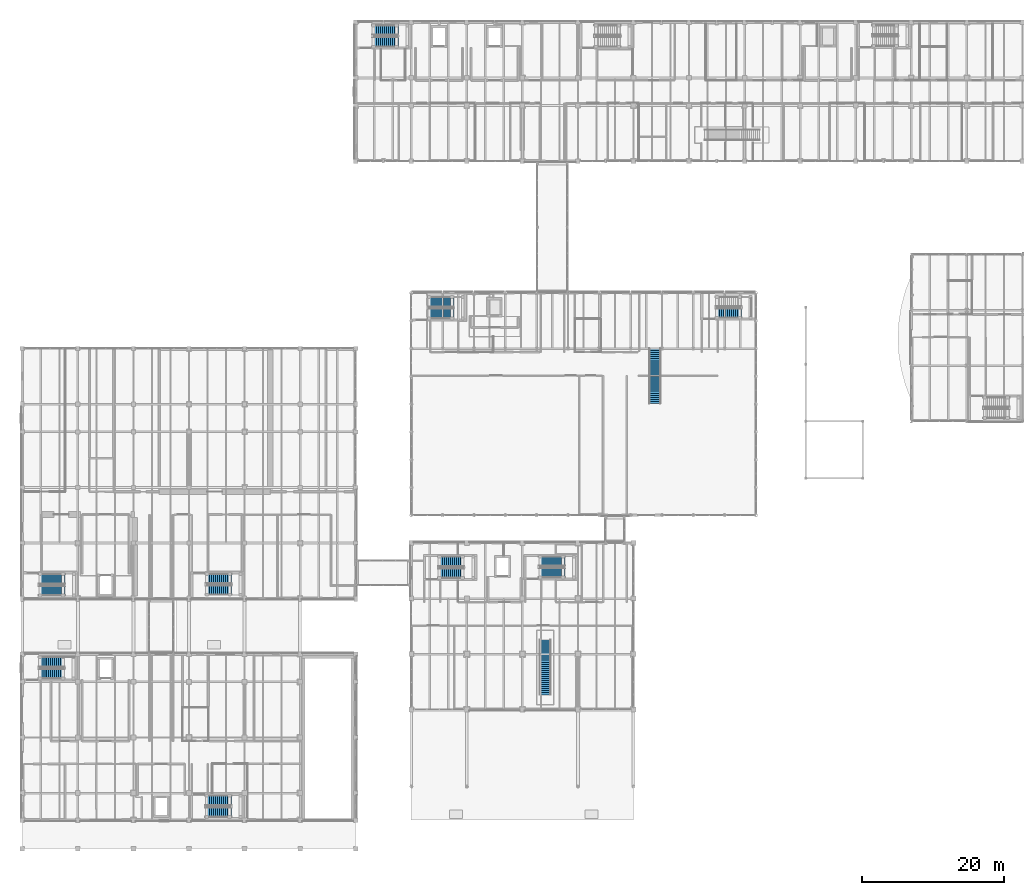
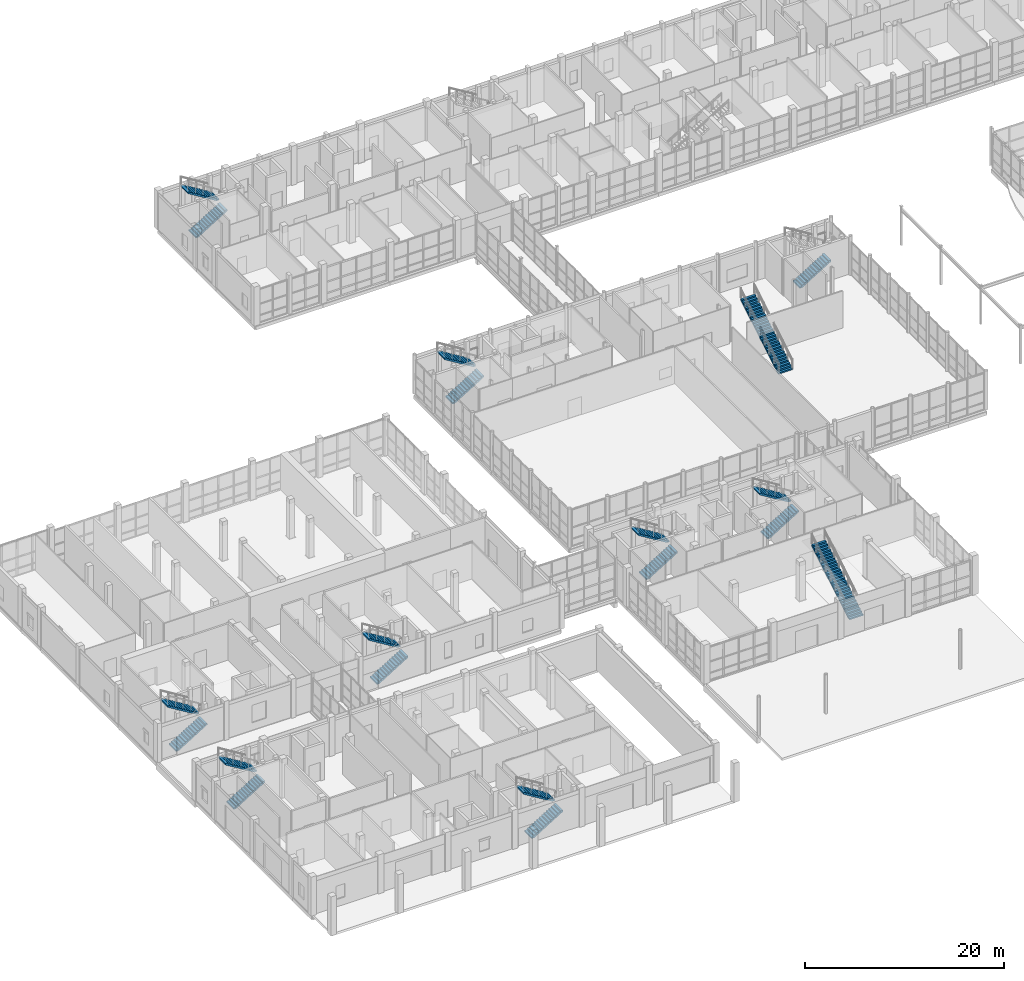
# One storey, part 106 of 131: 19 stair flights, 11 elements without a shape of their own.
"""IFC4 building model written with IfcOpenShell, lengths in metres."""

import ifcopenshell
import ifcopenshell.guid

model = None  # the IFC model being written
_history = None  # IfcOwnerHistory: only IFC2X3 demands one
_inside = {}  # id of a spatial element -> (the spatial element, [elements in it])
_under = {}  # id of a project, library or spatial element -> (it, [spatial elements below it])
_declared = {}  # id of a project -> (the project, [libraries it declares])
_typed = {}  # id of a type object -> (the type object, [elements of that type])
_made_of = {}  # id of a material, layer set ... -> (it, [elements and type objects made of it])


def new_model(schema):
    """Start an empty IFC model of exactly this schema.

    Asked for "IFC4X3", IfcOpenShell would pick the latest addendum, in which some entities
    have other attributes; the version numbers below select the first issue.
    IFC2X3 requires an IfcOwnerHistory on every rooted entity: one is made here for all.
    """
    global model, _history
    if schema == "IFC4X3":
        model = ifcopenshell.file(schema_version=(4, 3, 0, 0))
    else:
        model = ifcopenshell.file(schema=schema)
    _inside.clear()
    _under.clear()
    _declared.clear()
    _typed.clear()
    _made_of.clear()
    _history = None
    if model.schema == "IFC2X3":
        org = make("IfcOrganization", Name="unknown")
        user = make(
            "IfcPersonAndOrganization",
            ThePerson=make("IfcPerson", FamilyName="unknown"),
            TheOrganization=org,
        )
        app = make(
            "IfcApplication",
            ApplicationDeveloper=org,
            Version="unknown",
            ApplicationFullName="unknown",
            ApplicationIdentifier="unknown",
        )
        _history = make(
            "IfcOwnerHistory",
            OwningUser=user,
            OwningApplication=app,
            ChangeAction="ADDED",
            CreationDate=0,
        )
    return model


def make(cls, **values):
    """One entity of the class cls with the attributes given. An attribute that is None is left unset."""
    return model.create_entity(
        cls, **{name: value for name, value in values.items() if value is not None}
    )


def rooted(cls, **values):
    """An entity with a GlobalId (a new one), such as an element, a storey or a relation."""
    return make(cls, GlobalId=ifcopenshell.guid.new(), OwnerHistory=_history, **values)


def si_unit(unit_type, name, prefix=None):
    """IfcSIUnit, for example si_unit("LENGTHUNIT", "METRE", prefix="MILLI")."""
    return make("IfcSIUnit", UnitType=unit_type, Prefix=prefix, Name=name)


def assignment(units):
    """IfcUnitAssignment: the units of a project."""
    return None if units is None else make("IfcUnitAssignment", Units=units)


def point(xyz):
    """IfcCartesianPoint."""
    return None if xyz is None else make("IfcCartesianPoint", Coordinates=xyz)


def direction(xyz):
    """IfcDirection."""
    return None if xyz is None else make("IfcDirection", DirectionRatios=xyz)


def frame(location, z_axis=None, x_axis=None):
    """IfcAxis2Placement3D, a coordinate frame: its origin and axes. An axis left out is left unset."""
    return make(
        "IfcAxis2Placement3D",
        Location=point(location),
        Axis=direction(z_axis),
        RefDirection=direction(x_axis),
    )


def origin():
    """The frame at (0, 0, 0) with its axes left unset."""
    return frame((0.0, 0.0, 0.0))


def place(relative_to, where):
    """IfcLocalPlacement: puts the frame where relative to a parent placement (None: the world)."""
    return make(
        "IfcLocalPlacement", PlacementRelTo=relative_to, RelativePlacement=where
    )


def context(
    kind, dimensions, precision=None, world=None, true_north=None, identifier=None
):
    """IfcGeometricRepresentationContext, for example the 3D "Model" context."""
    return make(
        "IfcGeometricRepresentationContext",
        ContextIdentifier=identifier,
        ContextType=kind,
        CoordinateSpaceDimension=dimensions,
        Precision=precision,
        WorldCoordinateSystem=world,
        TrueNorth=true_north,
    )


def subcontext(parent, identifier, kind, view, scale=None):
    """IfcGeometricRepresentationSubContext, for example "Body" below "Model"."""
    return make(
        "IfcGeometricRepresentationSubContext",
        ContextIdentifier=identifier,
        ContextType=kind,
        ParentContext=parent,
        TargetScale=scale,
        TargetView=view,
    )


def project(units=None, contexts=None):
    """IfcProject with its units and contexts."""
    return rooted(
        "IfcProject",
        Name="project",
        RepresentationContexts=contexts,
        UnitsInContext=assignment(units),
    )


def spatial(cls, under=None, at=None, **own):
    """A site, building, storey or space (cls), placed at a placement, below another one or the project."""
    s = rooted(cls, ObjectPlacement=at, **own)
    if under is not None:
        _under.setdefault(under.id(), (under, []))[1].append(s)
    return s


def polyline(points):
    """IfcPolyline through the points."""
    return make("IfcPolyline", Points=[point(p) for p in points])


def outline(outer, holes=None, kind="AREA"):
    """IfcArbitraryClosedProfileDef: a profile drawn as a closed curve; with holes, ...WithVoids."""
    if holes is None:
        return make("IfcArbitraryClosedProfileDef", ProfileType=kind, OuterCurve=outer)
    return make(
        "IfcArbitraryProfileDefWithVoids",
        ProfileType=kind,
        OuterCurve=outer,
        InnerCurves=holes,
    )


def extrude(swept, where, along, depth):
    """IfcExtrudedAreaSolid: the profile swept, set in the frame where, extruded along a direction by depth."""
    return make(
        "IfcExtrudedAreaSolid",
        SweptArea=swept,
        Position=where,
        ExtrudedDirection=direction(along),
        Depth=depth,
    )


def shape(context_of_items, identifier, shape_type, items):
    """IfcShapeRepresentation: the items that make up one representation, for example the "Body"."""
    return make(
        "IfcShapeRepresentation",
        ContextOfItems=context_of_items,
        RepresentationIdentifier=identifier,
        RepresentationType=shape_type,
        Items=items,
    )


def material(Name=None, Category=None):
    """IfcMaterial."""
    return make("IfcMaterial", Name=Name, Category=Category)


def made_of(thing, what):
    """Note that an element or type object is made of a material, layer set ...; save() writes the relation."""
    if what is not None:
        _made_of.setdefault(what.id(), (what, []))[1].append(thing)
    return thing


def type_object(cls, material=None, **own):
    """A type object (cls), such as IfcWallType, which elements share."""
    return made_of(rooted(cls, **own), material)


def element(
    cls,
    number,
    at=None,
    inside=None,
    cuts=None,
    type_object=None,
    material=None,
    context=None,
    identifier="Body",
    shape_type=None,
    held_by="IfcProductDefinitionShape",
    body=None,
    shapes=None,
    **own,
):
    """One element of the class cls, such as IfcWall. Its Tag is "e" and its number.

    at: its placement. inside: the storey or other place that contains it. cuts: it is an
    opening in that element (IfcRelVoidsElement). A single representation is given by context,
    identifier, shape_type and body (its items); several are given by shapes. held_by: the class
    of the entity that holds the representations. save() writes the other relations.
    """
    e = rooted(cls, Tag="e%d" % number, ObjectPlacement=at, **own)
    if body is not None:
        shapes = [shape(context, identifier, shape_type, body)]
    if shapes is not None:
        e.Representation = make(held_by, Representations=shapes)
    if inside is not None:
        _inside.setdefault(inside.id(), (inside, []))[1].append(e)
    if cuts is not None:
        rooted(
            "IfcRelVoidsElement", RelatingBuildingElement=cuts, RelatedOpeningElement=e
        )
    if type_object is not None:
        _typed.setdefault(type_object.id(), (type_object, []))[1].append(e)
    return made_of(e, material)


def aggregate(whole, parts):
    """IfcRelAggregates: a whole, such as a stair, and the parts it consists of."""
    return rooted("IfcRelAggregates", RelatingObject=whole, RelatedObjects=parts)


def save(model, path):
    """Write the relations noted so far, then the file.

    IfcRelAggregates (storeys below a building ...), IfcRelContainedInSpatialStructure (elements
    in a storey), IfcRelDefinesByType, IfcRelAssociatesMaterial and IfcRelDeclares: one each for
    every whole, place, type object, material and project.
    """
    for whole, parts in _under.values():
        aggregate(whole, parts)
    for where, things in _inside.values():
        rooted(
            "IfcRelContainedInSpatialStructure",
            RelatedElements=things,
            RelatingStructure=where,
        )
    for kind, things in _typed.values():
        rooted("IfcRelDefinesByType", RelatedObjects=things, RelatingType=kind)
    for what, things in _made_of.values():
        rooted("IfcRelAssociatesMaterial", RelatedObjects=things, RelatingMaterial=what)
    for by, libraries in _declared.values():
        rooted("IfcRelDeclares", RelatingContext=by, RelatedDefinitions=libraries)
    model.write(path)


model = new_model("IFC4")

# Units and contexts
model_context = context("Model", 3, precision=1e-05, world=origin(), true_north=direction((0.0, 1.0)))
body_context = subcontext(model_context, "Body", "Model", "MODEL_VIEW")
ifc_project = project(units=[si_unit("LENGTHUNIT", "METRE"), si_unit("AREAUNIT", "SQUARE_METRE"), si_unit("VOLUMEUNIT", "CUBIC_METRE"), si_unit("PLANEANGLEUNIT", "RADIAN"), si_unit("MASSUNIT", "GRAM", prefix="KILO")], contexts=[model_context])

# Site, building, storey
site_placement = place(None, origin())
site = spatial("IfcSite", under=ifc_project, at=site_placement, CompositionType="ELEMENT")
building_placement = place(site_placement, origin())
building = spatial("IfcBuilding", under=site, at=building_placement, Name="Celorna Specialist Clinic", CompositionType="ELEMENT")
storey_placement = place(building_placement, origin())
storey = spatial("IfcBuildingStorey", under=building, at=storey_placement, Name="L00", CompositionType="ELEMENT", Elevation=0.0)

# Stair, stair flights
ifc_material = material(Name="Concrete C35/45", Category="concrete")
stair_type_1 = type_object("IfcStairType", Name="ST-02", PredefinedType="HALF_TURN_STAIR", material=ifc_material)
stair_1_placement = place(storey_placement, origin())
stair_1 = element("IfcStair", 1, at=stair_1_placement, inside=storey, type_object=stair_type_1, Name="L00 Protected exit stair ST-01", PredefinedType="HALF_TURN_STAIR")
stair_flight_type_1 = type_object("IfcStairFlightType", Name="SFL-02", PredefinedType="STRAIGHT", material=ifc_material)
stair_flight_1_placement = place(storey_placement, frame((49.139892578125, 113.2451171875, 0.0), z_axis=(0.0, 0.0, 1.0), x_axis=(1.0, 0.0, 0.0)))
stair_flight_1 = element("IfcStairFlight", 2, at=stair_flight_1_placement, type_object=stair_flight_type_1, Name="ST-01 flight 1", NumberOfRisers=14, NumberOfTreads=13, PredefinedType="STRAIGHT", RiserHeight=0.171428571, TreadLength=0.28, context=body_context, shape_type="SweptSolid", body=[
    extrude(outline(polyline([(0.0, 0.0), (0.0, 0.17138671875), (0.280029296875, 0.17138671875), (0.280029296875, 0.3427734375), (0.56005859375, 0.3427734375), (0.56005859375, 0.514404296875), (0.840087890625, 0.514404296875), (0.840087890625, 0.685791015625), (1.1201171875, 0.685791015625), (1.1201171875, 0.857177734375), (1.39990234375, 0.857177734375), (1.39990234375, 1.028564453125), (1.679931640625, 1.028564453125), (1.679931640625, 1.199951171875), (1.9599609375, 1.199951171875), (1.9599609375, 1.371337890625), (2.239990234375, 1.371337890625), (2.239990234375, 1.54296875), (2.52001953125, 1.54296875), (2.52001953125, 1.71435546875), (2.800048828125, 1.71435546875), (2.800048828125, 1.8857421875), (3.080078125, 1.8857421875), (3.080078125, 2.05712890625), (3.360107421875, 2.05712890625), (3.360107421875, 2.228515625), (3.639892578125, 2.228515625), (3.639892578125, 2.39990234375), (3.639892578125, 2.052734375), (0.287109375, 0.0), (0.0, 0.0)])), frame((0.0, 0.72509765625, 0.0), z_axis=(0.0, -1.0, 0.0), x_axis=(1.0, 0.0, 0.0)), (0.0, 0.0, 1.0), 1.449951171875),
])
stair_flight_2_placement = place(storey_placement, frame((52.780029296875, 114.89501953125, 2.39990234375), z_axis=(0.0, 0.0, 1.0), x_axis=(-1.0, 0.0, 0.0)))
stair_flight_2 = element("IfcStairFlight", 3, at=stair_flight_2_placement, type_object=stair_flight_type_1, Name="ST-01 flight 2", NumberOfRisers=14, NumberOfTreads=13, PredefinedType="STRAIGHT", RiserHeight=0.171428571, TreadLength=0.28, context=body_context, shape_type="SweptSolid", body=[
    extrude(outline(polyline([(0.0, 0.0), (0.0, 0.17138671875), (0.280029296875, 0.17138671875), (0.280029296875, 0.3427734375), (0.56005859375, 0.3427734375), (0.56005859375, 0.514404296875), (0.840087890625, 0.514404296875), (0.840087890625, 0.685791015625), (1.1201171875, 0.685791015625), (1.1201171875, 0.857177734375), (1.39990234375, 0.857177734375), (1.39990234375, 1.028564453125), (1.679931640625, 1.028564453125), (1.679931640625, 1.199951171875), (1.9599609375, 1.199951171875), (1.9599609375, 1.371337890625), (2.239990234375, 1.371337890625), (2.239990234375, 1.54296875), (2.52001953125, 1.54296875), (2.52001953125, 1.71435546875), (2.800048828125, 1.71435546875), (2.800048828125, 1.8857421875), (3.080078125, 1.8857421875), (3.080078125, 2.05712890625), (3.360107421875, 2.05712890625), (3.360107421875, 2.228515625), (3.639892578125, 2.228515625), (3.639892578125, 2.39990234375), (3.639892578125, 2.052734375), (0.287109375, 0.0), (0.0, 0.0)])), frame((0.0, 0.72509765625, 0.0), z_axis=(0.0, -1.0, 0.0), x_axis=(1.0, 0.0, 0.0)), (0.0, 0.0, 1.0), 1.449951171875),
])
aggregate(stair_1, [stair_flight_1, stair_flight_2])

stair_2_placement = place(storey_placement, origin())
stair_2 = element("IfcStair", 4, at=stair_2_placement, inside=storey, type_object=stair_type_1, Name="L00 Protected exit stair ST-04", PredefinedType="HALF_TURN_STAIR")
stair_flight_3_placement = place(storey_placement, frame((2.31005859375, 24.544921875, 0.0), z_axis=(0.0, 0.0, 1.0), x_axis=(1.0, 0.0, 0.0)))
stair_flight_3 = element("IfcStairFlight", 5, at=stair_flight_3_placement, type_object=stair_flight_type_1, Name="ST-04 flight 1", NumberOfRisers=14, NumberOfTreads=13, PredefinedType="STRAIGHT", RiserHeight=0.171428571, TreadLength=0.28, context=body_context, shape_type="SweptSolid", body=[
    extrude(outline(polyline([(0.0, 0.0), (0.0, 0.17138671875), (0.280029296875, 0.17138671875), (0.280029296875, 0.3427734375), (0.56005859375, 0.3427734375), (0.56005859375, 0.514404296875), (0.840087890625, 0.514404296875), (0.840087890625, 0.685791015625), (1.1201171875, 0.685791015625), (1.1201171875, 0.857177734375), (1.39990234375, 0.857177734375), (1.39990234375, 1.028564453125), (1.679931640625, 1.028564453125), (1.679931640625, 1.199951171875), (1.9599609375, 1.199951171875), (1.9599609375, 1.371337890625), (2.239990234375, 1.371337890625), (2.239990234375, 1.54296875), (2.52001953125, 1.54296875), (2.52001953125, 1.71435546875), (2.800048828125, 1.71435546875), (2.800048828125, 1.8857421875), (3.080078125, 1.8857421875), (3.080078125, 2.05712890625), (3.360107421875, 2.05712890625), (3.360107421875, 2.228515625), (3.639892578125, 2.228515625), (3.639892578125, 2.39990234375), (3.639892578125, 2.052734375), (0.287109375, 0.0), (0.0, 0.0)])), frame((0.0, 0.72509765625, 0.0), z_axis=(0.0, -1.0, 0.0), x_axis=(1.0, 0.0, 0.0)), (0.0, 0.0, 1.0), 1.449951171875),
])
stair_flight_4_placement = place(storey_placement, frame((5.949951171875, 26.195068359375, 2.39990234375), z_axis=(0.0, 0.0, 1.0), x_axis=(-1.0, 0.0, 0.0)))
stair_flight_4 = element("IfcStairFlight", 6, at=stair_flight_4_placement, type_object=stair_flight_type_1, Name="ST-04 flight 2", NumberOfRisers=14, NumberOfTreads=13, PredefinedType="STRAIGHT", RiserHeight=0.171428571, TreadLength=0.28, context=body_context, shape_type="SweptSolid", body=[
    extrude(outline(polyline([(0.0, 0.0), (0.0, 0.17138671875), (0.280029296875, 0.17138671875), (0.280029296875, 0.3427734375), (0.56005859375, 0.3427734375), (0.56005859375, 0.514404296875), (0.840087890625, 0.514404296875), (0.840087890625, 0.685791015625), (1.1201171875, 0.685791015625), (1.1201171875, 0.857177734375), (1.39990234375, 0.857177734375), (1.39990234375, 1.028564453125), (1.679931640625, 1.028564453125), (1.679931640625, 1.199951171875), (1.9599609375, 1.199951171875), (1.9599609375, 1.371337890625), (2.239990234375, 1.371337890625), (2.239990234375, 1.54296875), (2.52001953125, 1.54296875), (2.52001953125, 1.71435546875), (2.800048828125, 1.71435546875), (2.800048828125, 1.8857421875), (3.080078125, 1.8857421875), (3.080078125, 2.05712890625), (3.360107421875, 2.05712890625), (3.360107421875, 2.228515625), (3.639892578125, 2.228515625), (3.639892578125, 2.39990234375), (3.639892578125, 2.052734375), (0.287109375, 0.0), (0.0, 0.0)])), frame((0.0, 0.72509765625, 0.0), z_axis=(0.0, -1.0, 0.0), x_axis=(1.0, 0.0, 0.0)), (0.0, 0.0, 1.0), 1.449951171875),
])
aggregate(stair_2, [stair_flight_3, stair_flight_4])

stair_3_placement = place(storey_placement, origin())
stair_3 = element("IfcStair", 7, at=stair_3_placement, inside=storey, type_object=stair_type_1, Name="L00 Protected exit stair ST-05", PredefinedType="HALF_TURN_STAIR")
stair_flight_5_placement = place(storey_placement, frame((25.7099609375, 5.10498046875, 0.0), z_axis=(0.0, 0.0, 1.0), x_axis=(1.0, 0.0, 0.0)))
stair_flight_5 = element("IfcStairFlight", 8, at=stair_flight_5_placement, type_object=stair_flight_type_1, Name="ST-05 flight 1", NumberOfRisers=14, NumberOfTreads=13, PredefinedType="STRAIGHT", RiserHeight=0.171428571, TreadLength=0.28, context=body_context, shape_type="SweptSolid", body=[
    extrude(outline(polyline([(0.0, 0.0), (0.0, 0.17138671875), (0.280029296875, 0.17138671875), (0.280029296875, 0.3427734375), (0.56005859375, 0.3427734375), (0.56005859375, 0.514404296875), (0.840087890625, 0.514404296875), (0.840087890625, 0.685791015625), (1.1201171875, 0.685791015625), (1.1201171875, 0.857177734375), (1.39990234375, 0.857177734375), (1.39990234375, 1.028564453125), (1.679931640625, 1.028564453125), (1.679931640625, 1.199951171875), (1.9599609375, 1.199951171875), (1.9599609375, 1.371337890625), (2.239990234375, 1.371337890625), (2.239990234375, 1.54296875), (2.52001953125, 1.54296875), (2.52001953125, 1.71435546875), (2.800048828125, 1.71435546875), (2.800048828125, 1.8857421875), (3.080078125, 1.8857421875), (3.080078125, 2.05712890625), (3.360107421875, 2.05712890625), (3.360107421875, 2.228515625), (3.639892578125, 2.228515625), (3.639892578125, 2.39990234375), (3.639892578125, 2.052734375), (0.287109375, 0.0), (0.0, 0.0)])), frame((0.0, 0.72509765625, 0.0), z_axis=(0.0, -1.0, 0.0), x_axis=(1.0, 0.0, 0.0)), (0.0, 0.0, 1.0), 1.449951171875),
])
stair_flight_6_placement = place(storey_placement, frame((29.35009765625, 6.7548828125, 2.39990234375), z_axis=(0.0, 0.0, 1.0), x_axis=(-1.0, 0.0, 0.0)))
stair_flight_6 = element("IfcStairFlight", 9, at=stair_flight_6_placement, type_object=stair_flight_type_1, Name="ST-05 flight 2", NumberOfRisers=14, NumberOfTreads=13, PredefinedType="STRAIGHT", RiserHeight=0.171428571, TreadLength=0.28, context=body_context, shape_type="SweptSolid", body=[
    extrude(outline(polyline([(0.0, 0.0), (0.0, 0.17138671875), (0.280029296875, 0.17138671875), (0.280029296875, 0.3427734375), (0.56005859375, 0.3427734375), (0.56005859375, 0.514404296875), (0.840087890625, 0.514404296875), (0.840087890625, 0.685791015625), (1.1201171875, 0.685791015625), (1.1201171875, 0.857177734375), (1.39990234375, 0.857177734375), (1.39990234375, 1.028564453125), (1.679931640625, 1.028564453125), (1.679931640625, 1.199951171875), (1.9599609375, 1.199951171875), (1.9599609375, 1.371337890625), (2.239990234375, 1.371337890625), (2.239990234375, 1.54296875), (2.52001953125, 1.54296875), (2.52001953125, 1.71435546875), (2.800048828125, 1.71435546875), (2.800048828125, 1.8857421875), (3.080078125, 1.8857421875), (3.080078125, 2.05712890625), (3.360107421875, 2.05712890625), (3.360107421875, 2.228515625), (3.639892578125, 2.228515625), (3.639892578125, 2.39990234375), (3.639892578125, 2.052734375), (0.287109375, 0.0), (0.0, 0.0)])), frame((0.0, 0.72509765625, 0.0), z_axis=(0.0, -1.0, 0.0), x_axis=(1.0, 0.0, 0.0)), (0.0, 0.0, 1.0), 1.449951171875),
])
aggregate(stair_3, [stair_flight_5, stair_flight_6])

stair_4_placement = place(storey_placement, origin())
stair_4 = element("IfcStair", 10, at=stair_4_placement, inside=storey, type_object=stair_type_1, Name="L00 Protected exit stair ST-06", PredefinedType="HALF_TURN_STAIR")
stair_flight_7_placement = place(storey_placement, frame((2.340087890625, 36.205078125, 0.0), z_axis=(0.0, 0.0, 1.0), x_axis=(1.0, 0.0, 0.0)))
stair_flight_7 = element("IfcStairFlight", 11, at=stair_flight_7_placement, type_object=stair_flight_type_1, Name="ST-06 flight 1", NumberOfRisers=14, NumberOfTreads=13, PredefinedType="STRAIGHT", RiserHeight=0.171428571, TreadLength=0.28, context=body_context, shape_type="SweptSolid", body=[
    extrude(outline(polyline([(0.0, 0.0), (0.0, 0.17138671875), (0.280029296875, 0.17138671875), (0.280029296875, 0.3427734375), (0.56005859375, 0.3427734375), (0.56005859375, 0.514404296875), (0.840087890625, 0.514404296875), (0.840087890625, 0.685791015625), (1.1201171875, 0.685791015625), (1.1201171875, 0.857177734375), (1.39990234375, 0.857177734375), (1.39990234375, 1.028564453125), (1.679931640625, 1.028564453125), (1.679931640625, 1.199951171875), (1.9599609375, 1.199951171875), (1.9599609375, 1.371337890625), (2.239990234375, 1.371337890625), (2.239990234375, 1.54296875), (2.52001953125, 1.54296875), (2.52001953125, 1.71435546875), (2.800048828125, 1.71435546875), (2.800048828125, 1.8857421875), (3.080078125, 1.8857421875), (3.080078125, 2.05712890625), (3.360107421875, 2.05712890625), (3.360107421875, 2.228515625), (3.639892578125, 2.228515625), (3.639892578125, 2.39990234375), (3.639892578125, 2.052734375), (0.287109375, 0.0), (0.0, 0.0)])), frame((0.0, 0.72509765625, 0.0), z_axis=(0.0, -1.0, 0.0), x_axis=(1.0, 0.0, 0.0)), (0.0, 0.0, 1.0), 1.449951171875),
])
stair_flight_8_placement = place(storey_placement, frame((5.97998046875, 37.85498046875, 2.39990234375), z_axis=(0.0, 0.0, 1.0), x_axis=(-1.0, 0.0, 0.0)))
stair_flight_8 = element("IfcStairFlight", 12, at=stair_flight_8_placement, type_object=stair_flight_type_1, Name="ST-06 flight 2", NumberOfRisers=14, NumberOfTreads=13, PredefinedType="STRAIGHT", RiserHeight=0.171428571, TreadLength=0.28, context=body_context, shape_type="SweptSolid", body=[
    extrude(outline(polyline([(0.0, 0.0), (0.0, 0.17138671875), (0.280029296875, 0.17138671875), (0.280029296875, 0.3427734375), (0.56005859375, 0.3427734375), (0.56005859375, 0.514404296875), (0.840087890625, 0.514404296875), (0.840087890625, 0.685791015625), (1.1201171875, 0.685791015625), (1.1201171875, 0.857177734375), (1.39990234375, 0.857177734375), (1.39990234375, 1.028564453125), (1.679931640625, 1.028564453125), (1.679931640625, 1.199951171875), (1.9599609375, 1.199951171875), (1.9599609375, 1.371337890625), (2.239990234375, 1.371337890625), (2.239990234375, 1.54296875), (2.52001953125, 1.54296875), (2.52001953125, 1.71435546875), (2.800048828125, 1.71435546875), (2.800048828125, 1.8857421875), (3.080078125, 1.8857421875), (3.080078125, 2.05712890625), (3.360107421875, 2.05712890625), (3.360107421875, 2.228515625), (3.639892578125, 2.228515625), (3.639892578125, 2.39990234375), (3.639892578125, 2.052734375), (0.287109375, 0.0), (0.0, 0.0)])), frame((0.0, 0.72509765625, 0.0), z_axis=(0.0, -1.0, 0.0), x_axis=(1.0, 0.0, 0.0)), (0.0, 0.0, 1.0), 1.449951171875),
])
aggregate(stair_4, [stair_flight_7, stair_flight_8])

stair_5_placement = place(storey_placement, origin())
stair_5 = element("IfcStair", 13, at=stair_5_placement, inside=storey, type_object=stair_type_1, Name="L00 Protected exit stair ST-08", PredefinedType="HALF_TURN_STAIR")
stair_flight_9_placement = place(storey_placement, frame((58.39990234375, 38.64501953125, 0.0), z_axis=(0.0, 0.0, 1.0), x_axis=(1.0, 0.0, 0.0)))
stair_flight_9 = element("IfcStairFlight", 14, at=stair_flight_9_placement, type_object=stair_flight_type_1, Name="ST-08 flight 1", NumberOfRisers=14, NumberOfTreads=13, PredefinedType="STRAIGHT", RiserHeight=0.171428571, TreadLength=0.28, context=body_context, shape_type="SweptSolid", body=[
    extrude(outline(polyline([(0.0, 0.0), (0.0, 0.17138671875), (0.280029296875, 0.17138671875), (0.280029296875, 0.3427734375), (0.56005859375, 0.3427734375), (0.56005859375, 0.514404296875), (0.840087890625, 0.514404296875), (0.840087890625, 0.685791015625), (1.1201171875, 0.685791015625), (1.1201171875, 0.857177734375), (1.39990234375, 0.857177734375), (1.39990234375, 1.028564453125), (1.679931640625, 1.028564453125), (1.679931640625, 1.199951171875), (1.9599609375, 1.199951171875), (1.9599609375, 1.371337890625), (2.239990234375, 1.371337890625), (2.239990234375, 1.54296875), (2.52001953125, 1.54296875), (2.52001953125, 1.71435546875), (2.800048828125, 1.71435546875), (2.800048828125, 1.8857421875), (3.080078125, 1.8857421875), (3.080078125, 2.05712890625), (3.360107421875, 2.05712890625), (3.360107421875, 2.228515625), (3.639892578125, 2.228515625), (3.639892578125, 2.39990234375), (3.639892578125, 2.052734375), (0.287109375, 0.0), (0.0, 0.0)])), frame((0.0, 0.72509765625, 0.0), z_axis=(0.0, -1.0, 0.0), x_axis=(1.0, 0.0, 0.0)), (0.0, 0.0, 1.0), 1.449951171875),
])
stair_flight_10_placement = place(storey_placement, frame((62.0400390625, 40.294921875, 2.39990234375), z_axis=(0.0, 0.0, 1.0), x_axis=(-1.0, 0.0, 0.0)))
stair_flight_10 = element("IfcStairFlight", 15, at=stair_flight_10_placement, type_object=stair_flight_type_1, Name="ST-08 flight 2", NumberOfRisers=14, NumberOfTreads=13, PredefinedType="STRAIGHT", RiserHeight=0.171428571, TreadLength=0.28, context=body_context, shape_type="SweptSolid", body=[
    extrude(outline(polyline([(0.0, 0.0), (0.0, 0.17138671875), (0.280029296875, 0.17138671875), (0.280029296875, 0.3427734375), (0.56005859375, 0.3427734375), (0.56005859375, 0.514404296875), (0.840087890625, 0.514404296875), (0.840087890625, 0.685791015625), (1.1201171875, 0.685791015625), (1.1201171875, 0.857177734375), (1.39990234375, 0.857177734375), (1.39990234375, 1.028564453125), (1.679931640625, 1.028564453125), (1.679931640625, 1.199951171875), (1.9599609375, 1.199951171875), (1.9599609375, 1.371337890625), (2.239990234375, 1.371337890625), (2.239990234375, 1.54296875), (2.52001953125, 1.54296875), (2.52001953125, 1.71435546875), (2.800048828125, 1.71435546875), (2.800048828125, 1.8857421875), (3.080078125, 1.8857421875), (3.080078125, 2.05712890625), (3.360107421875, 2.05712890625), (3.360107421875, 2.228515625), (3.639892578125, 2.228515625), (3.639892578125, 2.39990234375), (3.639892578125, 2.052734375), (0.287109375, 0.0), (0.0, 0.0)])), frame((0.0, 0.72509765625, 0.0), z_axis=(0.0, -1.0, 0.0), x_axis=(1.0, 0.0, 0.0)), (0.0, 0.0, 1.0), 1.449951171875),
])
aggregate(stair_5, [stair_flight_9, stair_flight_10])

stair_6_placement = place(storey_placement, origin())
stair_6 = element("IfcStair", 16, at=stair_6_placement, inside=storey, type_object=stair_type_1, Name="L00 Protected exit stair ST-10", PredefinedType="HALF_TURN_STAIR")
stair_flight_11_placement = place(storey_placement, frame((56.93994140625, 75.10498046875, 0.0), z_axis=(0.0, 0.0, 1.0), x_axis=(1.0, 0.0, 0.0)))
stair_flight_11 = element("IfcStairFlight", 17, at=stair_flight_11_placement, type_object=stair_flight_type_1, Name="ST-10 flight 1", NumberOfRisers=14, NumberOfTreads=13, PredefinedType="STRAIGHT", RiserHeight=0.171428571, TreadLength=0.28, context=body_context, shape_type="SweptSolid", body=[
    extrude(outline(polyline([(0.0, 0.0), (0.0, 0.17138671875), (0.280029296875, 0.17138671875), (0.280029296875, 0.3427734375), (0.56005859375, 0.3427734375), (0.56005859375, 0.514404296875), (0.840087890625, 0.514404296875), (0.840087890625, 0.685791015625), (1.1201171875, 0.685791015625), (1.1201171875, 0.857177734375), (1.39990234375, 0.857177734375), (1.39990234375, 1.028564453125), (1.679931640625, 1.028564453125), (1.679931640625, 1.199951171875), (1.9599609375, 1.199951171875), (1.9599609375, 1.371337890625), (2.239990234375, 1.371337890625), (2.239990234375, 1.54296875), (2.52001953125, 1.54296875), (2.52001953125, 1.71435546875), (2.800048828125, 1.71435546875), (2.800048828125, 1.8857421875), (3.080078125, 1.8857421875), (3.080078125, 2.05712890625), (3.360107421875, 2.05712890625), (3.360107421875, 2.228515625), (3.639892578125, 2.228515625), (3.639892578125, 2.39990234375), (3.639892578125, 2.052734375), (0.287109375, 0.0), (0.0, 0.0)])), frame((0.0, 0.72509765625, 0.0), z_axis=(0.0, -1.0, 0.0), x_axis=(1.0, 0.0, 0.0)), (0.0, 0.0, 1.0), 1.449951171875),
])
stair_flight_12_placement = place(storey_placement, frame((60.580078125, 76.7548828125, 2.39990234375), z_axis=(0.0, 0.0, 1.0), x_axis=(-1.0, 0.0, 0.0)))
stair_flight_12 = element("IfcStairFlight", 18, at=stair_flight_12_placement, type_object=stair_flight_type_1, Name="ST-10 flight 2", NumberOfRisers=14, NumberOfTreads=13, PredefinedType="STRAIGHT", RiserHeight=0.171428571, TreadLength=0.28, context=body_context, shape_type="SweptSolid", body=[
    extrude(outline(polyline([(0.0, 0.0), (0.0, 0.17138671875), (0.280029296875, 0.17138671875), (0.280029296875, 0.3427734375), (0.56005859375, 0.3427734375), (0.56005859375, 0.514404296875), (0.840087890625, 0.514404296875), (0.840087890625, 0.685791015625), (1.1201171875, 0.685791015625), (1.1201171875, 0.857177734375), (1.39990234375, 0.857177734375), (1.39990234375, 1.028564453125), (1.679931640625, 1.028564453125), (1.679931640625, 1.199951171875), (1.9599609375, 1.199951171875), (1.9599609375, 1.371337890625), (2.239990234375, 1.371337890625), (2.239990234375, 1.54296875), (2.52001953125, 1.54296875), (2.52001953125, 1.71435546875), (2.800048828125, 1.71435546875), (2.800048828125, 1.8857421875), (3.080078125, 1.8857421875), (3.080078125, 2.05712890625), (3.360107421875, 2.05712890625), (3.360107421875, 2.228515625), (3.639892578125, 2.228515625), (3.639892578125, 2.39990234375), (3.639892578125, 2.052734375), (0.287109375, 0.0), (0.0, 0.0)])), frame((0.0, 0.72509765625, 0.0), z_axis=(0.0, -1.0, 0.0), x_axis=(1.0, 0.0, 0.0)), (0.0, 0.0, 1.0), 1.449951171875),
])
aggregate(stair_6, [stair_flight_11, stair_flight_12])

stair_type_2 = type_object("IfcStairType", Name="ST-03", PredefinedType="HALF_TURN_STAIR", material=ifc_material)
stair_7_placement = place(storey_placement, origin())
stair_7 = element("IfcStair", 19, at=stair_7_placement, inside=storey, type_object=stair_type_2, Name="L00 Protected exit stair ST-07", PredefinedType="HALF_TURN_STAIR")
stair_flight_type_2 = type_object("IfcStairFlightType", Name="SFL-03", PredefinedType="STRAIGHT", material=ifc_material)
stair_flight_13_placement = place(storey_placement, frame((25.739990234375, 36.280029296875, 0.0), z_axis=(0.0, 0.0, 1.0), x_axis=(1.0, 0.0, 0.0)))
stair_flight_13 = element("IfcStairFlight", 20, at=stair_flight_13_placement, type_object=stair_flight_type_2, Name="ST-07 flight 1", NumberOfRisers=14, NumberOfTreads=13, PredefinedType="STRAIGHT", RiserHeight=0.171428571, TreadLength=0.28, context=body_context, shape_type="SweptSolid", body=[
    extrude(outline(polyline([(0.0, 0.0), (0.0, 0.17138671875), (0.280029296875, 0.17138671875), (0.280029296875, 0.3427734375), (0.56005859375, 0.3427734375), (0.56005859375, 0.514404296875), (0.840087890625, 0.514404296875), (0.840087890625, 0.685791015625), (1.1201171875, 0.685791015625), (1.1201171875, 0.857177734375), (1.39990234375, 0.857177734375), (1.39990234375, 1.028564453125), (1.679931640625, 1.028564453125), (1.679931640625, 1.199951171875), (1.9599609375, 1.199951171875), (1.9599609375, 1.371337890625), (2.239990234375, 1.371337890625), (2.239990234375, 1.54296875), (2.52001953125, 1.54296875), (2.52001953125, 1.71435546875), (2.800048828125, 1.71435546875), (2.800048828125, 1.8857421875), (3.080078125, 1.8857421875), (3.080078125, 2.05712890625), (3.360107421875, 2.05712890625), (3.360107421875, 2.228515625), (3.639892578125, 2.228515625), (3.639892578125, 2.39990234375), (3.639892578125, 2.052734375), (0.287109375, 0.0), (0.0, 0.0)])), frame((0.0, 0.699951171875, 0.0), z_axis=(0.0, -1.0, 0.0), x_axis=(1.0, 0.0, 0.0)), (0.0, 0.0, 1.0), 1.39990234375),
])
stair_flight_14_placement = place(storey_placement, frame((29.3798828125, 37.8798828125, 2.39990234375), z_axis=(0.0, 0.0, 1.0), x_axis=(-1.0, 0.0, 0.0)))
stair_flight_14 = element("IfcStairFlight", 21, at=stair_flight_14_placement, type_object=stair_flight_type_2, Name="ST-07 flight 2", NumberOfRisers=14, NumberOfTreads=13, PredefinedType="STRAIGHT", RiserHeight=0.171428571, TreadLength=0.28, context=body_context, shape_type="SweptSolid", body=[
    extrude(outline(polyline([(0.0, 0.0), (0.0, 0.17138671875), (0.280029296875, 0.17138671875), (0.280029296875, 0.3427734375), (0.56005859375, 0.3427734375), (0.56005859375, 0.514404296875), (0.840087890625, 0.514404296875), (0.840087890625, 0.685791015625), (1.1201171875, 0.685791015625), (1.1201171875, 0.857177734375), (1.39990234375, 0.857177734375), (1.39990234375, 1.028564453125), (1.679931640625, 1.028564453125), (1.679931640625, 1.199951171875), (1.9599609375, 1.199951171875), (1.9599609375, 1.371337890625), (2.239990234375, 1.371337890625), (2.239990234375, 1.54296875), (2.52001953125, 1.54296875), (2.52001953125, 1.71435546875), (2.800048828125, 1.71435546875), (2.800048828125, 1.8857421875), (3.080078125, 1.8857421875), (3.080078125, 2.05712890625), (3.360107421875, 2.05712890625), (3.360107421875, 2.228515625), (3.639892578125, 2.228515625), (3.639892578125, 2.39990234375), (3.639892578125, 2.052734375), (0.287109375, 0.0), (0.0, 0.0)])), frame((0.0, 0.699951171875, 0.0), z_axis=(0.0, -1.0, 0.0), x_axis=(1.0, 0.0, 0.0)), (0.0, 0.0, 1.0), 1.39990234375),
])
aggregate(stair_7, [stair_flight_13, stair_flight_14])

stair_8_placement = place(storey_placement, origin())
stair_8 = element("IfcStair", 22, at=stair_8_placement, inside=storey, type_object=stair_type_2, Name="L00 Protected exit stair ST-09", PredefinedType="HALF_TURN_STAIR")
stair_flight_15_placement = place(storey_placement, frame((72.5400390625, 38.719970703125, 0.0), z_axis=(0.0, 0.0, 1.0), x_axis=(1.0, 0.0, 0.0)))
stair_flight_15 = element("IfcStairFlight", 23, at=stair_flight_15_placement, type_object=stair_flight_type_2, Name="ST-09 flight 1", NumberOfRisers=14, NumberOfTreads=13, PredefinedType="STRAIGHT", RiserHeight=0.171428571, TreadLength=0.28, context=body_context, shape_type="SweptSolid", body=[
    extrude(outline(polyline([(0.0, 0.0), (0.0, 0.17138671875), (0.280029296875, 0.17138671875), (0.280029296875, 0.3427734375), (0.56005859375, 0.3427734375), (0.56005859375, 0.514404296875), (0.840087890625, 0.514404296875), (0.840087890625, 0.685791015625), (1.1201171875, 0.685791015625), (1.1201171875, 0.857177734375), (1.39990234375, 0.857177734375), (1.39990234375, 1.028564453125), (1.679931640625, 1.028564453125), (1.679931640625, 1.199951171875), (1.9599609375, 1.199951171875), (1.9599609375, 1.371337890625), (2.239990234375, 1.371337890625), (2.239990234375, 1.54296875), (2.52001953125, 1.54296875), (2.52001953125, 1.71435546875), (2.800048828125, 1.71435546875), (2.800048828125, 1.8857421875), (3.080078125, 1.8857421875), (3.080078125, 2.05712890625), (3.360107421875, 2.05712890625), (3.360107421875, 2.228515625), (3.639892578125, 2.228515625), (3.639892578125, 2.39990234375), (3.639892578125, 2.052734375), (0.287109375, 0.0), (0.0, 0.0)])), frame((0.0, 0.699951171875, 0.0), z_axis=(0.0, -1.0, 0.0), x_axis=(1.0, 0.0, 0.0)), (0.0, 0.0, 1.0), 1.39990234375),
])
stair_flight_16_placement = place(storey_placement, frame((76.179931640625, 40.320068359375, 2.39990234375), z_axis=(0.0, 0.0, 1.0), x_axis=(-1.0, 0.0, 0.0)))
stair_flight_16 = element("IfcStairFlight", 24, at=stair_flight_16_placement, type_object=stair_flight_type_2, Name="ST-09 flight 2", NumberOfRisers=14, NumberOfTreads=13, PredefinedType="STRAIGHT", RiserHeight=0.171428571, TreadLength=0.28, context=body_context, shape_type="SweptSolid", body=[
    extrude(outline(polyline([(0.0, 0.0), (0.0, 0.17138671875), (0.280029296875, 0.17138671875), (0.280029296875, 0.3427734375), (0.56005859375, 0.3427734375), (0.56005859375, 0.514404296875), (0.840087890625, 0.514404296875), (0.840087890625, 0.685791015625), (1.1201171875, 0.685791015625), (1.1201171875, 0.857177734375), (1.39990234375, 0.857177734375), (1.39990234375, 1.028564453125), (1.679931640625, 1.028564453125), (1.679931640625, 1.199951171875), (1.9599609375, 1.199951171875), (1.9599609375, 1.371337890625), (2.239990234375, 1.371337890625), (2.239990234375, 1.54296875), (2.52001953125, 1.54296875), (2.52001953125, 1.71435546875), (2.800048828125, 1.71435546875), (2.800048828125, 1.8857421875), (3.080078125, 1.8857421875), (3.080078125, 2.05712890625), (3.360107421875, 2.05712890625), (3.360107421875, 2.228515625), (3.639892578125, 2.228515625), (3.639892578125, 2.39990234375), (3.639892578125, 2.052734375), (0.287109375, 0.0), (0.0, 0.0)])), frame((0.0, 0.699951171875, 0.0), z_axis=(0.0, -1.0, 0.0), x_axis=(1.0, 0.0, 0.0)), (0.0, 0.0, 1.0), 1.39990234375),
])
aggregate(stair_8, [stair_flight_15, stair_flight_16])

# Stair, stair flight
stair_9_placement = place(storey_placement, origin())
stair_9 = element("IfcStair", 25, at=stair_9_placement, inside=storey, type_object=stair_type_2, Name="L00 Protected exit stair ST-11", PredefinedType="HALF_TURN_STAIR")
stair_flight_17_placement = place(storey_placement, frame((97.340087890625, 75.179931640625, 0.0), z_axis=(0.0, 0.0, 1.0), x_axis=(1.0, 0.0, 0.0)))
stair_flight_17 = element("IfcStairFlight", 26, at=stair_flight_17_placement, type_object=stair_flight_type_2, Name="ST-11 flight 1", NumberOfRisers=14, NumberOfTreads=13, PredefinedType="STRAIGHT", RiserHeight=0.171428571, TreadLength=0.28, context=body_context, shape_type="SweptSolid", body=[
    extrude(outline(polyline([(0.0, 0.0), (0.0, 0.17138671875), (0.280029296875, 0.17138671875), (0.280029296875, 0.3427734375), (0.56005859375, 0.3427734375), (0.56005859375, 0.514404296875), (0.840087890625, 0.514404296875), (0.840087890625, 0.685791015625), (1.1201171875, 0.685791015625), (1.1201171875, 0.857177734375), (1.39990234375, 0.857177734375), (1.39990234375, 1.028564453125), (1.679931640625, 1.028564453125), (1.679931640625, 1.199951171875), (1.9599609375, 1.199951171875), (1.9599609375, 1.371337890625), (2.239990234375, 1.371337890625), (2.239990234375, 1.54296875), (2.52001953125, 1.54296875), (2.52001953125, 1.71435546875), (2.800048828125, 1.71435546875), (2.800048828125, 1.8857421875), (3.080078125, 1.8857421875), (3.080078125, 2.05712890625), (3.360107421875, 2.05712890625), (3.360107421875, 2.228515625), (3.639892578125, 2.228515625), (3.639892578125, 2.39990234375), (3.639892578125, 2.052734375), (0.287109375, 0.0), (0.0, 0.0)])), frame((0.0, 0.699951171875, 0.0), z_axis=(0.0, -1.0, 0.0), x_axis=(1.0, 0.0, 0.0)), (0.0, 0.0, 1.0), 1.39990234375),
])
aggregate(stair_9, [stair_flight_17])

stair_type_3 = type_object("IfcStairType", Name="ST-05", PredefinedType="STRAIGHT_RUN_STAIR", material=ifc_material)
stair_10_placement = place(storey_placement, origin())
stair_10 = element("IfcStair", 27, at=stair_10_placement, inside=storey, type_object=stair_type_3, Name="Feature straight stair ST-14 L00", PredefinedType="STRAIGHT_RUN_STAIR")
stair_flight_type_3 = type_object("IfcStairFlightType", Name="SFL-05", PredefinedType="STRAIGHT", material=ifc_material)
stair_flight_18_placement = place(storey_placement, frame((73.39990234375, 21.60009765625, 0.0), z_axis=(0.0, 0.0, 1.0), x_axis=(0.0, 1.0, 0.0)))
stair_flight_18 = element("IfcStairFlight", 28, at=stair_flight_18_placement, type_object=stair_flight_type_3, Name="ST-14 flight 1", NumberOfRisers=28, NumberOfTreads=27, PredefinedType="STRAIGHT", RiserHeight=0.171428571, TreadLength=0.285, context=body_context, shape_type="SweptSolid", body=[
    extrude(outline(polyline([(0.0, 0.0), (0.0, 0.17138671875), (0.284912109375, 0.17138671875), (0.284912109375, 0.3427734375), (0.570068359375, 0.3427734375), (0.570068359375, 0.514404296875), (0.85498046875, 0.514404296875), (0.85498046875, 0.685791015625), (1.139892578125, 0.685791015625), (1.139892578125, 0.857177734375), (1.425048828125, 0.857177734375), (1.425048828125, 1.028564453125), (1.7099609375, 1.028564453125), (1.7099609375, 1.199951171875), (1.9951171875, 1.199951171875), (1.9951171875, 1.371337890625), (2.280029296875, 1.371337890625), (2.280029296875, 1.54296875), (2.56494140625, 1.54296875), (2.56494140625, 1.71435546875), (2.85009765625, 1.71435546875), (2.85009765625, 1.8857421875), (3.135009765625, 1.8857421875), (3.135009765625, 2.05712890625), (3.419921875, 2.05712890625), (3.419921875, 2.228515625), (3.705078125, 2.228515625), (3.705078125, 2.39990234375), (3.989990234375, 2.39990234375), (3.989990234375, 2.571533203125), (4.27490234375, 2.571533203125), (4.27490234375, 2.742919921875), (4.56005859375, 2.742919921875), (4.56005859375, 2.914306640625), (4.844970703125, 2.914306640625), (4.844970703125, 3.085693359375), (5.1298828125, 3.085693359375), (5.1298828125, 3.257080078125), (5.4150390625, 3.257080078125), (5.4150390625, 3.428466796875), (5.699951171875, 3.428466796875), (5.699951171875, 3.60009765625), (5.985107421875, 3.60009765625), (5.985107421875, 3.771484375), (6.27001953125, 3.771484375), (6.27001953125, 3.94287109375), (6.554931640625, 3.94287109375), (6.554931640625, 4.1142578125), (6.840087890625, 4.1142578125), (6.840087890625, 4.28564453125), (7.125, 4.28564453125), (7.125, 4.45703125), (7.409912109375, 4.45703125), (7.409912109375, 4.628662109375), (7.695068359375, 4.628662109375), (7.695068359375, 4.800048828125), (7.695068359375, 4.44189453125), (0.310302734375, 0.0), (0.0, 0.0)])), frame((0.0, 0.800048828125, 0.0), z_axis=(0.0, -1.0, 0.0), x_axis=(1.0, 0.0, 0.0)), (0.0, 0.0, 1.0), 1.60009765625),
])
aggregate(stair_10, [stair_flight_18])

stair_type_4 = type_object("IfcStairType", Name="ST-06", PredefinedType="STRAIGHT_RUN_STAIR", material=ifc_material)
stair_11_placement = place(storey_placement, origin())
stair_11 = element("IfcStair", 29, at=stair_11_placement, inside=storey, type_object=stair_type_4, Name="Feature straight stair ST-15 L00", PredefinedType="STRAIGHT_RUN_STAIR")
stair_flight_type_4 = type_object("IfcStairFlightType", Name="SFL-06", PredefinedType="STRAIGHT", material=ifc_material)
stair_flight_19_placement = place(storey_placement, frame((88.800048828125, 62.5, 0.0), z_axis=(0.0, 0.0, 1.0), x_axis=(0.0, 1.0, 0.0)))
stair_flight_19 = element("IfcStairFlight", 30, at=stair_flight_19_placement, type_object=stair_flight_type_4, Name="ST-15 flight 1", NumberOfRisers=28, NumberOfTreads=27, PredefinedType="STRAIGHT", RiserHeight=0.171428571, TreadLength=0.285, context=body_context, shape_type="SweptSolid", body=[
    extrude(outline(polyline([(0.0, 0.0), (0.0, 0.17138671875), (0.284912109375, 0.17138671875), (0.284912109375, 0.3427734375), (0.570068359375, 0.3427734375), (0.570068359375, 0.514404296875), (0.85498046875, 0.514404296875), (0.85498046875, 0.685791015625), (1.139892578125, 0.685791015625), (1.139892578125, 0.857177734375), (1.425048828125, 0.857177734375), (1.425048828125, 1.028564453125), (1.7099609375, 1.028564453125), (1.7099609375, 1.199951171875), (1.9951171875, 1.199951171875), (1.9951171875, 1.371337890625), (2.280029296875, 1.371337890625), (2.280029296875, 1.54296875), (2.56494140625, 1.54296875), (2.56494140625, 1.71435546875), (2.85009765625, 1.71435546875), (2.85009765625, 1.8857421875), (3.135009765625, 1.8857421875), (3.135009765625, 2.05712890625), (3.419921875, 2.05712890625), (3.419921875, 2.228515625), (3.705078125, 2.228515625), (3.705078125, 2.39990234375), (3.989990234375, 2.39990234375), (3.989990234375, 2.571533203125), (4.27490234375, 2.571533203125), (4.27490234375, 2.742919921875), (4.56005859375, 2.742919921875), (4.56005859375, 2.914306640625), (4.844970703125, 2.914306640625), (4.844970703125, 3.085693359375), (5.1298828125, 3.085693359375), (5.1298828125, 3.257080078125), (5.4150390625, 3.257080078125), (5.4150390625, 3.428466796875), (5.699951171875, 3.428466796875), (5.699951171875, 3.60009765625), (5.985107421875, 3.60009765625), (5.985107421875, 3.771484375), (6.27001953125, 3.771484375), (6.27001953125, 3.94287109375), (6.554931640625, 3.94287109375), (6.554931640625, 4.1142578125), (6.840087890625, 4.1142578125), (6.840087890625, 4.28564453125), (7.125, 4.28564453125), (7.125, 4.45703125), (7.409912109375, 4.45703125), (7.409912109375, 4.628662109375), (7.695068359375, 4.628662109375), (7.695068359375, 4.800048828125), (7.695068359375, 4.44189453125), (0.310302734375, 0.0), (0.0, 0.0)])), frame((0.0, 0.824951171875, 0.0), z_axis=(0.0, -1.0, 0.0), x_axis=(1.0, 0.0, 0.0)), (0.0, 0.0, 1.0), 1.64990234375),
])
aggregate(stair_11, [stair_flight_19])

save(model, "model.ifc")
